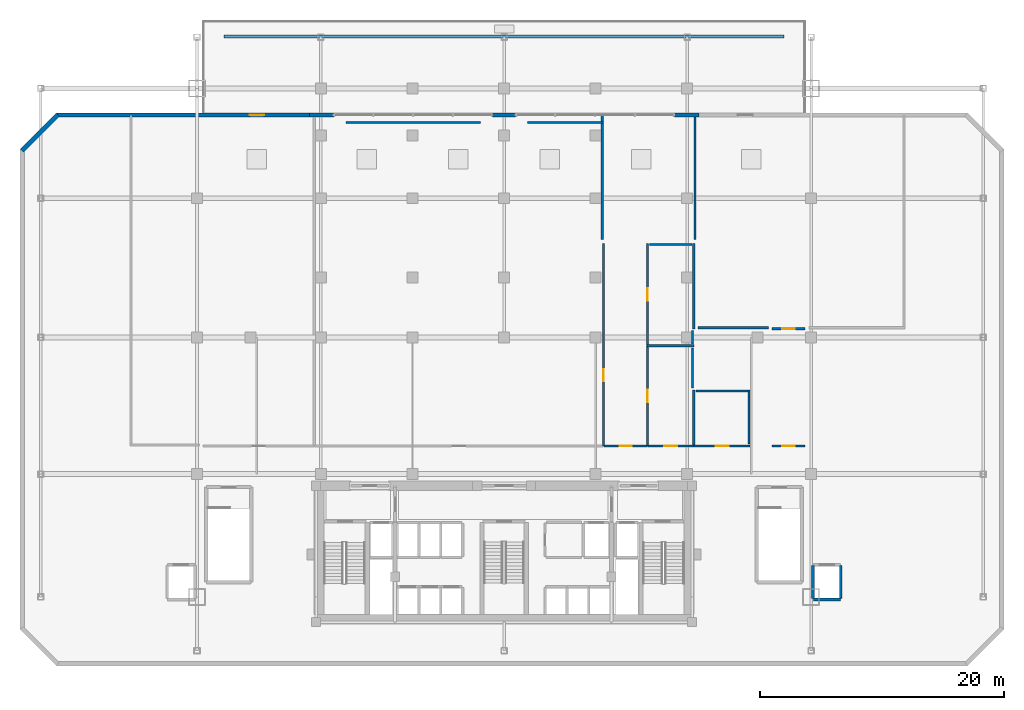
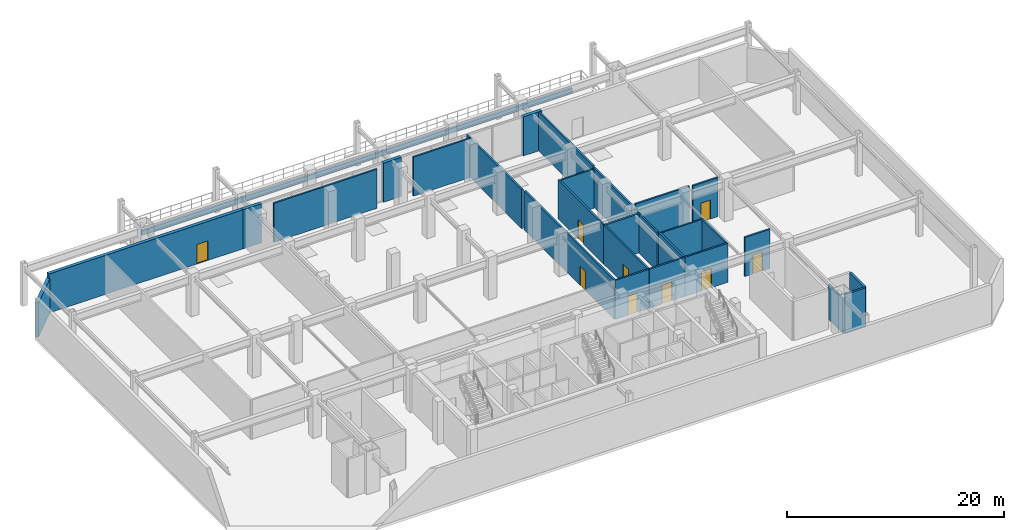
# One storey, part 12 of 15: 30 walls, 9 doors, 9 openings.
"""IFC4 building model written with IfcOpenShell, lengths in metres."""

import ifcopenshell
import ifcopenshell.guid

model = None  # the IFC model being written
_history = None  # IfcOwnerHistory: only IFC2X3 demands one
_inside = {}  # id of a spatial element -> (the spatial element, [elements in it])
_under = {}  # id of a project, library or spatial element -> (it, [spatial elements below it])
_declared = {}  # id of a project -> (the project, [libraries it declares])
_typed = {}  # id of a type object -> (the type object, [elements of that type])
_made_of = {}  # id of a material, layer set ... -> (it, [elements and type objects made of it])


def new_model(schema):
    """Start an empty IFC model of exactly this schema.

    Asked for "IFC4X3", IfcOpenShell would pick the latest addendum, in which some entities
    have other attributes; the version numbers below select the first issue.
    IFC2X3 requires an IfcOwnerHistory on every rooted entity: one is made here for all.
    """
    global model, _history
    if schema == "IFC4X3":
        model = ifcopenshell.file(schema_version=(4, 3, 0, 0))
    else:
        model = ifcopenshell.file(schema=schema)
    _inside.clear()
    _under.clear()
    _declared.clear()
    _typed.clear()
    _made_of.clear()
    _history = None
    if model.schema == "IFC2X3":
        org = make("IfcOrganization", Name="unknown")
        user = make(
            "IfcPersonAndOrganization",
            ThePerson=make("IfcPerson", FamilyName="unknown"),
            TheOrganization=org,
        )
        app = make(
            "IfcApplication",
            ApplicationDeveloper=org,
            Version="unknown",
            ApplicationFullName="unknown",
            ApplicationIdentifier="unknown",
        )
        _history = make(
            "IfcOwnerHistory",
            OwningUser=user,
            OwningApplication=app,
            ChangeAction="ADDED",
            CreationDate=0,
        )
    return model


def make(cls, **values):
    """One entity of the class cls with the attributes given. An attribute that is None is left unset."""
    return model.create_entity(
        cls, **{name: value for name, value in values.items() if value is not None}
    )


def rooted(cls, **values):
    """An entity with a GlobalId (a new one), such as an element, a storey or a relation."""
    return make(cls, GlobalId=ifcopenshell.guid.new(), OwnerHistory=_history, **values)


def si_unit(unit_type, name, prefix=None):
    """IfcSIUnit, for example si_unit("LENGTHUNIT", "METRE", prefix="MILLI")."""
    return make("IfcSIUnit", UnitType=unit_type, Prefix=prefix, Name=name)


def assignment(units):
    """IfcUnitAssignment: the units of a project."""
    return None if units is None else make("IfcUnitAssignment", Units=units)


def point(xyz):
    """IfcCartesianPoint."""
    return None if xyz is None else make("IfcCartesianPoint", Coordinates=xyz)


def direction(xyz):
    """IfcDirection."""
    return None if xyz is None else make("IfcDirection", DirectionRatios=xyz)


def frame(location, z_axis=None, x_axis=None):
    """IfcAxis2Placement3D, a coordinate frame: its origin and axes. An axis left out is left unset."""
    return make(
        "IfcAxis2Placement3D",
        Location=point(location),
        Axis=direction(z_axis),
        RefDirection=direction(x_axis),
    )


def frame_2d(location, x_axis=None):
    """IfcAxis2Placement2D, a coordinate frame in the plane: its origin and x axis."""
    return make(
        "IfcAxis2Placement2D", Location=point(location), RefDirection=direction(x_axis)
    )


def origin():
    """The frame at (0, 0, 0) with its axes left unset."""
    return frame((0.0, 0.0, 0.0))


def place(relative_to, where):
    """IfcLocalPlacement: puts the frame where relative to a parent placement (None: the world)."""
    return make(
        "IfcLocalPlacement", PlacementRelTo=relative_to, RelativePlacement=where
    )


def context(
    kind, dimensions, precision=None, world=None, true_north=None, identifier=None
):
    """IfcGeometricRepresentationContext, for example the 3D "Model" context."""
    return make(
        "IfcGeometricRepresentationContext",
        ContextIdentifier=identifier,
        ContextType=kind,
        CoordinateSpaceDimension=dimensions,
        Precision=precision,
        WorldCoordinateSystem=world,
        TrueNorth=true_north,
    )


def subcontext(parent, identifier, kind, view, scale=None):
    """IfcGeometricRepresentationSubContext, for example "Body" below "Model"."""
    return make(
        "IfcGeometricRepresentationSubContext",
        ContextIdentifier=identifier,
        ContextType=kind,
        ParentContext=parent,
        TargetScale=scale,
        TargetView=view,
    )


def project(units=None, contexts=None):
    """IfcProject with its units and contexts."""
    return rooted(
        "IfcProject",
        Name="project",
        RepresentationContexts=contexts,
        UnitsInContext=assignment(units),
    )


def spatial(cls, under=None, at=None, **own):
    """A site, building, storey or space (cls), placed at a placement, below another one or the project."""
    s = rooted(cls, ObjectPlacement=at, **own)
    if under is not None:
        _under.setdefault(under.id(), (under, []))[1].append(s)
    return s


def profile(cls, at=None, kind="AREA", **sizes):
    """A parametric profile (cls). Its sizes go by their IFC names, for example OverallWidth=200.0."""
    return make(cls, ProfileType=kind, Position=at, **sizes)


def rectangle(**sizes):
    """IfcRectangleProfileDef."""
    return profile("IfcRectangleProfileDef", **sizes)


def extrude(swept, where, along, depth):
    """IfcExtrudedAreaSolid: the profile swept, set in the frame where, extruded along a direction by depth."""
    return make(
        "IfcExtrudedAreaSolid",
        SweptArea=swept,
        Position=where,
        ExtrudedDirection=direction(along),
        Depth=depth,
    )


def shape(context_of_items, identifier, shape_type, items):
    """IfcShapeRepresentation: the items that make up one representation, for example the "Body"."""
    return make(
        "IfcShapeRepresentation",
        ContextOfItems=context_of_items,
        RepresentationIdentifier=identifier,
        RepresentationType=shape_type,
        Items=items,
    )


def material(Name=None, Category=None):
    """IfcMaterial."""
    return make("IfcMaterial", Name=Name, Category=Category)


def layer(
    of_material, thickness, ventilated=None, Name=None, Category=None, Priority=None
):
    """IfcMaterialLayer: one layer of a wall or slab, of a material (None: an air gap)."""
    return make(
        "IfcMaterialLayer",
        Material=of_material,
        LayerThickness=thickness,
        IsVentilated=ventilated,
        Name=Name,
        Category=Category,
        Priority=Priority,
    )


def layer_set(layers, Name=None):
    """IfcMaterialLayerSet."""
    return make("IfcMaterialLayerSet", MaterialLayers=layers, LayerSetName=Name)


def made_of(thing, what):
    """Note that an element or type object is made of a material, layer set ...; save() writes the relation."""
    if what is not None:
        _made_of.setdefault(what.id(), (what, []))[1].append(thing)
    return thing


def type_object(cls, material=None, **own):
    """A type object (cls), such as IfcWallType, which elements share."""
    return made_of(rooted(cls, **own), material)


def element(
    cls,
    number,
    at=None,
    inside=None,
    cuts=None,
    type_object=None,
    material=None,
    context=None,
    identifier="Body",
    shape_type=None,
    held_by="IfcProductDefinitionShape",
    body=None,
    shapes=None,
    **own,
):
    """One element of the class cls, such as IfcWall. Its Tag is "e" and its number.

    at: its placement. inside: the storey or other place that contains it. cuts: it is an
    opening in that element (IfcRelVoidsElement). A single representation is given by context,
    identifier, shape_type and body (its items); several are given by shapes. held_by: the class
    of the entity that holds the representations. save() writes the other relations.
    """
    e = rooted(cls, Tag="e%d" % number, ObjectPlacement=at, **own)
    if body is not None:
        shapes = [shape(context, identifier, shape_type, body)]
    if shapes is not None:
        e.Representation = make(held_by, Representations=shapes)
    if inside is not None:
        _inside.setdefault(inside.id(), (inside, []))[1].append(e)
    if cuts is not None:
        rooted(
            "IfcRelVoidsElement", RelatingBuildingElement=cuts, RelatedOpeningElement=e
        )
    if type_object is not None:
        _typed.setdefault(type_object.id(), (type_object, []))[1].append(e)
    return made_of(e, material)


def fill(opening, filler):
    """IfcRelFillsElement: the door or window that sits in an opening."""
    return rooted(
        "IfcRelFillsElement",
        RelatingOpeningElement=opening,
        RelatedBuildingElement=filler,
    )


def aggregate(whole, parts):
    """IfcRelAggregates: a whole, such as a stair, and the parts it consists of."""
    return rooted("IfcRelAggregates", RelatingObject=whole, RelatedObjects=parts)


def save(model, path):
    """Write the relations noted so far, then the file.

    IfcRelAggregates (storeys below a building ...), IfcRelContainedInSpatialStructure (elements
    in a storey), IfcRelDefinesByType, IfcRelAssociatesMaterial and IfcRelDeclares: one each for
    every whole, place, type object, material and project.
    """
    for whole, parts in _under.values():
        aggregate(whole, parts)
    for where, things in _inside.values():
        rooted(
            "IfcRelContainedInSpatialStructure",
            RelatedElements=things,
            RelatingStructure=where,
        )
    for kind, things in _typed.values():
        rooted("IfcRelDefinesByType", RelatedObjects=things, RelatingType=kind)
    for what, things in _made_of.values():
        rooted("IfcRelAssociatesMaterial", RelatedObjects=things, RelatingMaterial=what)
    for by, libraries in _declared.values():
        rooted("IfcRelDeclares", RelatingContext=by, RelatedDefinitions=libraries)
    model.write(path)


model = new_model("IFC4")

# Units and contexts
model_context = context("Model", 3, precision=1e-05, world=origin(), true_north=direction((0.0, 1.0)))
body_context = subcontext(model_context, "Body", "Model", "MODEL_VIEW")
ifc_project = project(units=[si_unit("LENGTHUNIT", "METRE"), si_unit("AREAUNIT", "SQUARE_METRE"), si_unit("VOLUMEUNIT", "CUBIC_METRE"), si_unit("PLANEANGLEUNIT", "RADIAN"), si_unit("MASSUNIT", "GRAM", prefix="KILO")], contexts=[model_context])

# Site, building, storey
site_placement = place(None, origin())
site = spatial("IfcSite", under=ifc_project, at=site_placement, CompositionType="ELEMENT")
building_placement = place(site_placement, origin())
building = spatial("IfcBuilding", under=site, at=building_placement, Name="Ventersveld Concourse Tower", CompositionType="ELEMENT")
storey_placement = place(building_placement, frame((0.0, 0.0, 19.800048828125)))
storey = spatial("IfcBuildingStorey", under=building, at=storey_placement, Name="L04", CompositionType="ELEMENT", Elevation=19.800048828125)

# Wall, opening, door
ifc_material_1 = material(Name="Fire-rated autoclaved aerated masonry blockwork", Category="masonry")
ifc_layer_1 = layer(ifc_material_1, 0.179931640625)
ifc_layer_set_1 = layer_set([ifc_layer_1], Name="Fire-rated autoclaved aerated masonry blockwork")
wall_type_1 = type_object("IfcWallType", Name="WL-CORR-180", PredefinedType="PARTITIONING", material=ifc_layer_set_1)
wall_1_placement = place(storey_placement, frame((36.925048828125, 14.699951171875, 0.0), z_axis=(0.0, 0.0, 1.0), x_axis=(1.0, 0.0, 0.0)))
wall_1 = element("IfcWall", 1, at=wall_1_placement, inside=storey, type_object=wall_type_1, Name="L04 Interior Partition SP-L04-COR-SP-L04-WCLOB", PredefinedType="PARTITIONING", context=body_context, shape_type="SweptSolid", body=[
    extrude(rectangle(XDim=3.570068359375, YDim=0.179931640625, at=frame_2d((1.78515625, 0.0))), origin(), (0.0, 0.0, 1.0), 4.39990234375),
])
opening_1_placement = place(wall_1_placement, frame((1.284912109375, 0.0, 0.0)))
opening_1 = element("IfcOpeningElement", 2, at=opening_1_placement, cuts=wall_1, Name="Opening FD3", PredefinedType="OPENING", context=body_context, shape_type="SweptSolid", body=[
    extrude(rectangle(XDim=1.0, YDim=2.14990234375, at=frame_2d((0.5, 1.074951171875))), frame((0.0, 0.10009765625, 0.0), z_axis=(0.0, -1.0, 0.0), x_axis=(1.0, 0.0, 0.0)), (0.0, 0.0, 1.0), 0.199951171875),
])
ifc_material_2 = material(Name="Solid-core hardwood veneer timber", Category="wood")
door_type_1 = type_object("IfcDoorType", Name="DR-FLAT-100", OperationType="NOTDEFINED", PredefinedType="DOOR", material=ifc_material_2)
door_1_placement = place(opening_1_placement, origin())
door_1 = element("IfcDoor", 3, at=door_1_placement, inside=storey, type_object=door_type_1, Name="L04 Interior Door SP-L04-COR to SP-L04-WCLOB (D-L04-0147)", OperationType="SINGLE_SWING_LEFT", OverallHeight=2.14990234375, OverallWidth=1.0, PredefinedType="DOOR", context=body_context, shape_type="SweptSolid", body=[
    extrude(rectangle(XDim=1.0, YDim=2.14990234375, at=frame_2d((0.5, 1.074951171875))), frame((0.0, 0.02490234375, 0.0), z_axis=(0.0, -1.0, 0.0), x_axis=(1.0, 0.0, 0.0)), (0.0, 0.0, 1.0), 0.050048828125),
])
fill(opening_1, door_1)

wall_2_placement = place(storey_placement, frame((40.52490234375, 14.699951171875, 0.0), z_axis=(0.0, 0.0, 1.0), x_axis=(1.0, 0.0, 0.0)))
wall_2 = element("IfcWall", 4, at=wall_2_placement, inside=storey, type_object=wall_type_1, Name="L04 Interior Partition SP-L04-COR-SP-L04-MWC", PredefinedType="PARTITIONING", context=body_context, shape_type="SweptSolid", body=[
    extrude(rectangle(XDim=3.77001953125, YDim=0.179931640625, at=frame_2d((1.885009765625, 0.0))), origin(), (0.0, 0.0, 1.0), 4.39990234375),
])
opening_2_placement = place(wall_2_placement, frame((1.360107421875, 0.0, 0.0)))
opening_2 = element("IfcOpeningElement", 5, at=opening_2_placement, cuts=wall_2, Name="Opening ID3", PredefinedType="OPENING", context=body_context, shape_type="SweptSolid", body=[
    extrude(rectangle(XDim=1.050048828125, YDim=2.14990234375, at=frame_2d((0.52490234375, 1.074951171875))), frame((0.0, 0.10009765625, 0.0), z_axis=(0.0, -1.0, 0.0), x_axis=(1.0, 0.0, 0.0)), (0.0, 0.0, 1.0), 0.199951171875),
])
door_type_2 = type_object("IfcDoorType", Name="DR-AWC-105", OperationType="NOTDEFINED", PredefinedType="DOOR", material=ifc_material_2)
door_2_placement = place(opening_2_placement, origin())
door_2 = element("IfcDoor", 6, at=door_2_placement, inside=storey, type_object=door_type_2, Name="L04 Interior Door SP-L04-COR to SP-L04-MWC (WD-L04-0148)", OperationType="SINGLE_SWING_RIGHT", OverallHeight=2.14990234375, OverallWidth=1.050048828125, PredefinedType="DOOR", context=body_context, shape_type="SweptSolid", body=[
    extrude(rectangle(XDim=1.050048828125, YDim=2.14990234375, at=frame_2d((0.52490234375, 1.074951171875))), frame((0.0, 0.02490234375, 0.0), z_axis=(0.0, -1.0, 0.0), x_axis=(1.0, 0.0, 0.0)), (0.0, 0.0, 1.0), 0.050048828125),
])
fill(opening_2, door_2)

wall_3_placement = place(storey_placement, frame((44.324951171875, 14.699951171875, 0.0), z_axis=(0.0, 0.0, 1.0), x_axis=(1.0, 0.0, 0.0)))
wall_3 = element("IfcWall", 7, at=wall_3_placement, inside=storey, type_object=wall_type_1, Name="L04 Interior Partition SP-L04-COR-SP-L04-AWC", PredefinedType="PARTITIONING", context=body_context, shape_type="SweptSolid", body=[
    extrude(rectangle(XDim=4.570068359375, YDim=0.179931640625, at=frame_2d((2.28515625, 0.0))), origin(), (0.0, 0.0, 1.0), 4.39990234375),
])
opening_3_placement = place(wall_3_placement, frame((1.760009765625, 0.0, 0.0)))
opening_3 = element("IfcOpeningElement", 8, at=opening_3_placement, cuts=wall_3, Name="Opening ID3", PredefinedType="OPENING", context=body_context, shape_type="SweptSolid", body=[
    extrude(rectangle(XDim=1.050048828125, YDim=2.14990234375, at=frame_2d((0.52490234375, 1.074951171875))), frame((0.0, 0.10009765625, 0.0), z_axis=(0.0, -1.0, 0.0), x_axis=(1.0, 0.0, 0.0)), (0.0, 0.0, 1.0), 0.199951171875),
])
door_3_placement = place(opening_3_placement, origin())
door_3 = element("IfcDoor", 9, at=door_3_placement, inside=storey, type_object=door_type_2, Name="L04 Interior Door SP-L04-COR to SP-L04-AWC (WD-L04-0149)", OperationType="SINGLE_SWING_LEFT", OverallHeight=2.14990234375, OverallWidth=1.050048828125, PredefinedType="DOOR", context=body_context, shape_type="SweptSolid", body=[
    extrude(rectangle(XDim=1.050048828125, YDim=2.14990234375, at=frame_2d((0.52490234375, 1.074951171875))), frame((0.0, 0.02490234375, 0.0), z_axis=(0.0, -1.0, 0.0), x_axis=(1.0, 0.0, 0.0)), (0.0, 0.0, 1.0), 0.050048828125),
])
fill(opening_3, door_3)

wall_4_placement = place(storey_placement, frame((50.705078125, 14.699951171875, 0.0), z_axis=(0.0, 0.0, 1.0), x_axis=(1.0, 0.0, 0.0)))
wall_4 = element("IfcWall", 10, at=wall_4_placement, inside=storey, type_object=wall_type_1, Name="L04 Interior Partition SP-L04-COR-SP-L04-ECOR", PredefinedType="PARTITIONING", context=body_context, shape_type="SweptSolid", body=[
    extrude(rectangle(XDim=2.68994140625, YDim=0.179931640625, at=frame_2d((1.344970703125, 0.0))), origin(), (0.0, 0.0, 1.0), 4.39990234375),
])
opening_4_placement = place(wall_4_placement, frame((0.844970703125, 0.0, 0.0)))
opening_4 = element("IfcOpeningElement", 11, at=opening_4_placement, cuts=wall_4, Name="Opening FD3", PredefinedType="OPENING", context=body_context, shape_type="SweptSolid", body=[
    extrude(rectangle(XDim=1.0, YDim=2.14990234375, at=frame_2d((0.5, 1.074951171875))), frame((0.0, 0.10009765625, 0.0), z_axis=(0.0, -1.0, 0.0), x_axis=(1.0, 0.0, 0.0)), (0.0, 0.0, 1.0), 0.199951171875),
])
door_4_placement = place(opening_4_placement, origin())
door_4 = element("IfcDoor", 12, at=door_4_placement, inside=storey, type_object=door_type_1, Name="L04 Interior Door SP-L04-COR to SP-L04-ECOR (D-L04-0150)", OperationType="SINGLE_SWING_RIGHT", OverallHeight=2.14990234375, OverallWidth=1.0, PredefinedType="DOOR", context=body_context, shape_type="SweptSolid", body=[
    extrude(rectangle(XDim=1.0, YDim=2.14990234375, at=frame_2d((0.5, 1.074951171875))), frame((0.0, 0.02490234375, 0.0), z_axis=(0.0, -1.0, 0.0), x_axis=(1.0, 0.0, 0.0)), (0.0, 0.0, 1.0), 0.050048828125),
])
fill(opening_4, door_4)

wall_5_placement = place(storey_placement, frame((36.89990234375, 14.705078125, 0.0), z_axis=(0.0, 0.0, 1.0), x_axis=(0.0, 1.0, 0.0)))
wall_5 = element("IfcWall", 13, at=wall_5_placement, inside=storey, type_object=wall_type_1, Name="L04 Interior Partition SP-L04-LOUNGE-SP-L04-WCLOB", PredefinedType="PARTITIONING", context=body_context, shape_type="SweptSolid", body=[
    extrude(rectangle(XDim=16.58984375, YDim=0.179931640625, at=frame_2d((8.294921875, 0.0))), origin(), (0.0, 0.0, 1.0), 4.39990234375),
])
opening_5_placement = place(wall_5_placement, frame((5.306396484375, 0.0, 0.0)))
opening_5 = element("IfcOpeningElement", 14, at=opening_5_placement, cuts=wall_5, Name="Opening FD3", PredefinedType="OPENING", context=body_context, shape_type="SweptSolid", body=[
    extrude(rectangle(XDim=1.0, YDim=2.14990234375, at=frame_2d((0.5, 1.074951171875))), frame((0.0, 0.10009765625, 0.0), z_axis=(0.0, -1.0, 0.0), x_axis=(1.0, 0.0, 0.0)), (0.0, 0.0, 1.0), 0.199951171875),
])
door_5_placement = place(opening_5_placement, origin())
door_5 = element("IfcDoor", 15, at=door_5_placement, inside=storey, type_object=door_type_1, Name="L04 Interior Door SP-L04-LOUNGE to SP-L04-WCLOB (D-L04-0151)", OperationType="SINGLE_SWING_LEFT", OverallHeight=2.14990234375, OverallWidth=1.0, PredefinedType="DOOR", context=body_context, shape_type="SweptSolid", body=[
    extrude(rectangle(XDim=1.0, YDim=2.14990234375, at=frame_2d((0.5, 1.074951171875))), frame((0.0, 0.02490234375, 0.0), z_axis=(0.0, -1.0, 0.0), x_axis=(1.0, 0.0, 0.0)), (0.0, 0.0, 1.0), 0.050048828125),
])
fill(opening_5, door_5)

wall_6_placement = place(storey_placement, frame((50.705078125, 24.31005859375, 0.0), z_axis=(0.0, 0.0, 1.0), x_axis=(1.0, 0.0, 0.0)))
wall_6 = element("IfcWall", 16, at=wall_6_placement, inside=storey, type_object=wall_type_1, Name="L04 Interior Partition SP-L04-CRECHE-SP-L04-ECOR", PredefinedType="PARTITIONING", context=body_context, shape_type="SweptSolid", body=[
    extrude(rectangle(XDim=2.68994140625, YDim=0.179931640625, at=frame_2d((1.344970703125, 0.0))), origin(), (0.0, 0.0, 1.0), 4.39990234375),
])
opening_6_placement = place(wall_6_placement, frame((0.844970703125, 0.0, 0.0)))
opening_6 = element("IfcOpeningElement", 17, at=opening_6_placement, cuts=wall_6, Name="Opening FD3", PredefinedType="OPENING", context=body_context, shape_type="SweptSolid", body=[
    extrude(rectangle(XDim=1.0, YDim=2.14990234375, at=frame_2d((0.5, 1.074951171875))), frame((0.0, 0.10009765625, 0.0), z_axis=(0.0, -1.0, 0.0), x_axis=(1.0, 0.0, 0.0)), (0.0, 0.0, 1.0), 0.199951171875),
])
door_6_placement = place(opening_6_placement, origin())
door_6 = element("IfcDoor", 18, at=door_6_placement, inside=storey, type_object=door_type_1, Name="L04 Interior Door SP-L04-CRECHE to SP-L04-ECOR (D-L04-0152)", OperationType="SINGLE_SWING_RIGHT", OverallHeight=2.14990234375, OverallWidth=1.0, PredefinedType="DOOR", context=body_context, shape_type="SweptSolid", body=[
    extrude(rectangle(XDim=1.0, YDim=2.14990234375, at=frame_2d((0.5, 1.074951171875))), frame((0.0, 0.02490234375, 0.0), z_axis=(0.0, -1.0, 0.0), x_axis=(1.0, 0.0, 0.0)), (0.0, 0.0, 1.0), 0.050048828125),
])
fill(opening_6, door_6)

wall_7_placement = place(storey_placement, frame((40.5, 14.705078125, 0.0), z_axis=(0.0, 0.0, 1.0), x_axis=(0.0, 1.0, 0.0)))
wall_7 = element("IfcWall", 19, at=wall_7_placement, inside=storey, type_object=wall_type_1, Name="L04 Interior Partition SP-L04-WCLOB-SP-L04-MWC", PredefinedType="PARTITIONING", context=body_context, shape_type="SweptSolid", body=[
    extrude(rectangle(XDim=8.18994140625, YDim=0.179931640625, at=frame_2d((4.094970703125, 0.0))), origin(), (0.0, 0.0, 1.0), 4.39990234375),
])
opening_7_placement = place(wall_7_placement, frame((3.570068359375, 0.0, 0.0)))
opening_7 = element("IfcOpeningElement", 20, at=opening_7_placement, cuts=wall_7, Name="Opening ID3", PredefinedType="OPENING", context=body_context, shape_type="SweptSolid", body=[
    extrude(rectangle(XDim=1.050048828125, YDim=2.14990234375, at=frame_2d((0.52490234375, 1.074951171875))), frame((0.0, 0.10009765625, 0.0), z_axis=(0.0, -1.0, 0.0), x_axis=(1.0, 0.0, 0.0)), (0.0, 0.0, 1.0), 0.199951171875),
])
door_7_placement = place(opening_7_placement, origin())
door_7 = element("IfcDoor", 21, at=door_7_placement, inside=storey, type_object=door_type_2, Name="L04 Interior Door SP-L04-WCLOB to SP-L04-MWC (WD-L04-0153)", OperationType="SINGLE_SWING_LEFT", OverallHeight=2.14990234375, OverallWidth=1.050048828125, PredefinedType="DOOR", context=body_context, shape_type="SweptSolid", body=[
    extrude(rectangle(XDim=1.050048828125, YDim=2.14990234375, at=frame_2d((0.52490234375, 1.074951171875))), frame((0.0, 0.02490234375, 0.0), z_axis=(0.0, -1.0, 0.0), x_axis=(1.0, 0.0, 0.0)), (0.0, 0.0, 1.0), 0.050048828125),
])
fill(opening_7, door_7)

wall_8_placement = place(storey_placement, frame((40.5, 22.925048828125, 0.0), z_axis=(0.0, 0.0, 1.0), x_axis=(0.0, 1.0, 0.0)))
wall_8 = element("IfcWall", 22, at=wall_8_placement, inside=storey, type_object=wall_type_1, Name="L04 Interior Partition SP-L04-WCLOB-SP-L04-FWC", PredefinedType="PARTITIONING", context=body_context, shape_type="SweptSolid", body=[
    extrude(rectangle(XDim=8.369873046875, YDim=0.179931640625, at=frame_2d((4.18505859375, 0.0))), origin(), (0.0, 0.0, 1.0), 4.39990234375),
])
opening_8_placement = place(wall_8_placement, frame((3.659912109375, 0.0, 0.0)))
opening_8 = element("IfcOpeningElement", 23, at=opening_8_placement, cuts=wall_8, Name="Opening ID3", PredefinedType="OPENING", context=body_context, shape_type="SweptSolid", body=[
    extrude(rectangle(XDim=1.050048828125, YDim=2.14990234375, at=frame_2d((0.52490234375, 1.074951171875))), frame((0.0, 0.10009765625, 0.0), z_axis=(0.0, -1.0, 0.0), x_axis=(1.0, 0.0, 0.0)), (0.0, 0.0, 1.0), 0.199951171875),
])
door_8_placement = place(opening_8_placement, origin())
door_8 = element("IfcDoor", 24, at=door_8_placement, inside=storey, type_object=door_type_2, Name="L04 Interior Door SP-L04-WCLOB to SP-L04-FWC (WD-L04-0154)", OperationType="SINGLE_SWING_RIGHT", OverallHeight=2.14990234375, OverallWidth=1.050048828125, PredefinedType="DOOR", context=body_context, shape_type="SweptSolid", body=[
    extrude(rectangle(XDim=1.050048828125, YDim=2.14990234375, at=frame_2d((0.52490234375, 1.074951171875))), frame((0.0, 0.02490234375, 0.0), z_axis=(0.0, -1.0, 0.0), x_axis=(1.0, 0.0, 0.0)), (0.0, 0.0, 1.0), 0.050048828125),
])
fill(opening_8, door_8)

# Walls
wall_9_placement = place(storey_placement, frame((36.800048828125, 31.607421875, 0.0), z_axis=(0.0, 0.0, 1.0), x_axis=(0.0, 1.0, 0.0)))
element("IfcWall", 25, at=wall_9_placement, inside=storey, type_object=wall_type_1, Name="L04 Room Enclosure Wall SP-L04-LOUNGE", PredefinedType="PARTITIONING", context=body_context, shape_type="SweptSolid", body=[
    extrude(rectangle(XDim=10.194580078125, YDim=0.179931640625, at=frame_2d((5.09716796875, 0.0))), origin(), (0.0, 0.0, 1.0), 4.39990234375),
])
wall_10_placement = place(storey_placement, frame((36.89501953125, 41.199951171875, 0.0), z_axis=(0.0, 0.0, 1.0), x_axis=(-1.0, 0.0, 0.0)))
element("IfcWall", 26, at=wall_10_placement, inside=storey, type_object=wall_type_1, Name="L04 Room Enclosure Wall SP-L04-LOUNGE", PredefinedType="PARTITIONING", context=body_context, shape_type="SweptSolid", body=[
    extrude(rectangle(XDim=6.2060546875, YDim=0.179931640625, at=frame_2d((3.10302734375, 0.0))), origin(), (0.0, 0.0, 1.0), 4.39990234375),
])
wall_11_placement = place(storey_placement, frame((26.81103515625, 41.199951171875, 0.0), z_axis=(0.0, 0.0, 1.0), x_axis=(-1.0, 0.0, 0.0)))
element("IfcWall", 27, at=wall_11_placement, inside=storey, type_object=wall_type_1, Name="L04 Room Enclosure Wall SP-L04-LOUNGE", PredefinedType="PARTITIONING", context=body_context, shape_type="SweptSolid", body=[
    extrude(rectangle(XDim=11.02197265625, YDim=0.179931640625, at=frame_2d((5.510986328125, 0.0))), origin(), (0.0, 0.0, 1.0), 4.39990234375),
])
wall_12_placement = place(storey_placement, frame((44.625, 24.39990234375, 0.0), z_axis=(0.0, 0.0, 1.0), x_axis=(1.0, 0.0, 0.0)))
element("IfcWall", 28, at=wall_12_placement, inside=storey, type_object=wall_type_1, Name="L04 Room Enclosure Wall SP-L04-CRECHE", PredefinedType="PARTITIONING", context=body_context, shape_type="SweptSolid", body=[
    extrude(rectangle(XDim=5.76513671875, YDim=0.179931640625, at=frame_2d((2.882568359375, 0.0))), origin(), (0.0, 0.0, 1.0), 4.39990234375),
])
wall_13_placement = place(storey_placement, frame((44.39990234375, 41.784912109375, 0.0), z_axis=(0.0, 0.0, 1.0), x_axis=(0.0, -1.0, 0.0)))
element("IfcWall", 29, at=wall_13_placement, inside=storey, type_object=wall_type_1, Name="L04 Room Enclosure Wall SP-L04-CRECHE", PredefinedType="PARTITIONING", context=body_context, shape_type="SweptSolid", body=[
    extrude(rectangle(XDim=10.177490234375, YDim=0.179931640625, at=frame_2d((5.0888671875, 0.0))), origin(), (0.0, 0.0, 1.0), 4.39990234375),
])
ifc_layer_2 = layer(ifc_material_1, 0.199951171875)
ifc_layer_set_2 = layer_set([ifc_layer_2], Name="Fire-rated autoclaved aerated masonry blockwork")
wall_type_2 = type_object("IfcWallType", Name="WL-DEMISE-200", PredefinedType="PARTITIONING", material=ifc_layer_set_2)
wall_14_placement = place(storey_placement, frame((44.300048828125, 24.304931640625, 0.0), z_axis=(0.0, 0.0, 1.0), x_axis=(0.0, 1.0, 0.0)))
element("IfcWall", 30, at=wall_14_placement, inside=storey, type_object=wall_type_2, Name="L04 Interior Partition SP-L04-CRECHE-SP-L04-FWC", PredefinedType="PARTITIONING", context=body_context, shape_type="SweptSolid", body=[
    extrude(rectangle(XDim=6.989990234375, YDim=0.199951171875, at=frame_2d((3.4951171875, 0.0))), origin(), (0.0, 0.0, 1.0), 4.39990234375),
])
wall_15_placement = place(storey_placement, frame((40.5048828125, 22.89990234375, 0.0), z_axis=(0.0, 0.0, 1.0), x_axis=(1.0, 0.0, 0.0)))
element("IfcWall", 31, at=wall_15_placement, inside=storey, type_object=wall_type_2, Name="L04 Interior Partition SP-L04-MWC-SP-L04-FWC", PredefinedType="PARTITIONING", context=body_context, shape_type="SweptSolid", body=[
    extrude(rectangle(XDim=3.7900390625, YDim=0.199951171875, at=frame_2d((1.89501953125, 0.0))), origin(), (0.0, 0.0, 1.0), 4.39990234375),
])
wall_16_placement = place(storey_placement, frame((44.300048828125, 14.705078125, 0.0), z_axis=(0.0, 0.0, 1.0), x_axis=(0.0, 1.0, 0.0)))
element("IfcWall", 32, at=wall_16_placement, inside=storey, type_object=wall_type_2, Name="L04 Interior Partition SP-L04-MWC-SP-L04-AWC", PredefinedType="PARTITIONING", context=body_context, shape_type="SweptSolid", body=[
    extrude(rectangle(XDim=4.58984375, YDim=0.199951171875, at=frame_2d((2.294921875, 0.0))), origin(), (0.0, 0.0, 1.0), 4.39990234375),
])
ifc_layer_3 = layer(ifc_material_1, 0.219970703125)
ifc_layer_set_3 = layer_set([ifc_layer_3], Name="Fire-rated autoclaved aerated masonry blockwork")
wall_type_3 = type_object("IfcWallType", Name="WL-HOIST-220", PredefinedType="SOLIDWALL", material=ifc_layer_set_3)
wall_17_placement = place(storey_placement, frame((54.10009765625, 2.139892578125, 0.0), z_axis=(0.0, 0.0, 1.0), x_axis=(1.0, 0.0, 0.0)))
element("IfcWall", 33, at=wall_17_placement, inside=storey, type_object=wall_type_3, Name="L04 Lift Hoistway Back Wall SL-02", PredefinedType="SOLIDWALL", context=body_context, shape_type="SweptSolid", body=[
    extrude(rectangle(XDim=2.199951171875, YDim=0.219970703125, at=frame_2d((1.10009765625, 0.0))), origin(), (0.0, 0.0, 1.0), 4.39990234375),
])
wall_18_placement = place(storey_placement, frame((54.06005859375, 2.199951171875, 0.0), z_axis=(0.0, 0.0, 1.0), x_axis=(0.0, 1.0, 0.0)))
element("IfcWall", 34, at=wall_18_placement, inside=storey, type_object=wall_type_3, Name="L04 Lift Hoistway Side Wall SL-02W", PredefinedType="SOLIDWALL", context=body_context, shape_type="SweptSolid", body=[
    extrude(rectangle(XDim=2.699951171875, YDim=0.219970703125, at=frame_2d((1.35009765625, 0.0))), origin(), (0.0, 0.0, 1.0), 3.866943359375),
])
wall_19_placement = place(storey_placement, frame((56.340087890625, 2.199951171875, 0.0), z_axis=(0.0, 0.0, 1.0), x_axis=(0.0, 1.0, 0.0)))
element("IfcWall", 35, at=wall_19_placement, inside=storey, type_object=wall_type_3, Name="L04 Lift Hoistway Side Wall SL-02E", PredefinedType="SOLIDWALL", context=body_context, shape_type="SweptSolid", body=[
    extrude(rectangle(XDim=2.699951171875, YDim=0.219970703125, at=frame_2d((1.35009765625, 0.0))), origin(), (0.0, 0.0, 1.0), 4.39990234375),
])
ifc_material_3 = material(Name="Precast concrete C45/55", Category="concrete")
ifc_layer_4 = layer(ifc_material_3, 0.239990234375)
ifc_layer_set_4 = layer_set([ifc_layer_4], Name="Precast concrete C45/55")
wall_type_4 = type_object("IfcWallType", Name="WL-KERB-240", PredefinedType="PARAPET", material=ifc_layer_set_4)
wall_20_placement = place(storey_placement, frame((5.800048828125, 48.25, 0.0), z_axis=(0.0, 0.0, 1.0), x_axis=(1.0, 0.0, 0.0)))
element("IfcWall", 36, at=wall_20_placement, inside=storey, type_object=wall_type_4, Name="L04 Landscaped Terrace Planter Kerb POD-TERR-N", PredefinedType="PARAPET", context=body_context, shape_type="SweptSolid", body=[
    extrude(rectangle(XDim=45.89990234375, YDim=0.239990234375, at=frame_2d((22.949951171875, 0.0))), origin(), (0.0, 0.0, 1.0), 0.550048828125),
])
ifc_layer_5 = layer(ifc_material_3, 0.35009765625)
ifc_layer_set_5 = layer_set([ifc_layer_5], Name="Precast concrete C45/55")
wall_type_5 = type_object("IfcWallType", Name="WL-PREC-350", PredefinedType="SOLIDWALL", material=ifc_layer_set_5)
wall_21_placement = place(storey_placement, frame((12.800048828125, 41.820068359375, 0.0), z_axis=(0.0, 0.0, 1.0), x_axis=(1.0, 0.0, 0.0)))
element("IfcWall", 37, at=wall_21_placement, inside=storey, type_object=wall_type_5, Name="L04 North Pier 1", PredefinedType="SOLIDWALL", context=body_context, shape_type="SweptSolid", body=[
    extrude(rectangle(XDim=2.0, YDim=0.35009765625, at=frame_2d((1.0, 0.0))), origin(), (0.0, 0.0, 1.0), 4.39990234375),
])
wall_22_placement = place(storey_placement, frame((27.800048828125, 41.820068359375, 0.0), z_axis=(0.0, 0.0, 1.0), x_axis=(1.0, 0.0, 0.0)))
element("IfcWall", 38, at=wall_22_placement, inside=storey, type_object=wall_type_5, Name="L04 North Pier 2", PredefinedType="SOLIDWALL", context=body_context, shape_type="SweptSolid", body=[
    extrude(rectangle(XDim=1.89990234375, YDim=0.35009765625, at=frame_2d((0.949951171875, 0.0))), origin(), (0.0, 0.0, 1.0), 4.39990234375),
])
wall_23_placement = place(storey_placement, frame((42.699951171875, 41.820068359375, 0.0), z_axis=(0.0, 0.0, 1.0), x_axis=(1.0, 0.0, 0.0)))
element("IfcWall", 39, at=wall_23_placement, inside=storey, type_object=wall_type_5, Name="L04 North Pier 3", PredefinedType="SOLIDWALL", context=body_context, shape_type="SweptSolid", body=[
    extrude(rectangle(XDim=2.0, YDim=0.35009765625, at=frame_2d((1.0, 0.0))), origin(), (0.0, 0.0, 1.0), 4.39990234375),
])

# Wall, opening, door
wall_24_placement = place(storey_placement, frame((-7.860107421875, 41.820068359375, 0.0), z_axis=(0.0, 0.0, 1.0), x_axis=(1.0, 0.0, 0.0)))
wall_24 = element("IfcWall", 40, at=wall_24_placement, inside=storey, type_object=wall_type_5, Name="L04 Amenity North-West Wall", PredefinedType="SOLIDWALL", context=body_context, shape_type="SweptSolid", body=[
    extrude(rectangle(XDim=20.66015625, YDim=0.35009765625, at=frame_2d((10.330078125, 0.0))), origin(), (0.0, 0.0, 1.0), 4.39990234375),
])
opening_9_placement = place(wall_24_placement, frame((15.760009765625, 0.0, 0.0)))
opening_9 = element("IfcOpeningElement", 41, at=opening_9_placement, cuts=wall_24, Name="Opening TD1", PredefinedType="OPENING", context=body_context, shape_type="SweptSolid", body=[
    extrude(rectangle(XDim=1.199951171875, YDim=2.199951171875, at=frame_2d((0.60009765625, 1.10009765625))), frame((0.0, 0.18505859375, 0.0), z_axis=(0.0, -1.0, 0.0), x_axis=(1.0, 0.0, 0.0)), (0.0, 0.0, 1.0), 0.3701171875),
])
ifc_material_4 = material(Name="Anodised aluminium EN AW-6063-T6", Category="aluminium")
door_type_3 = type_object("IfcDoorType", Name="DR-TERR-120", OperationType="NOTDEFINED", PredefinedType="DOOR", material=ifc_material_4)
door_9_placement = place(opening_9_placement, origin())
door_9 = element("IfcDoor", 42, at=door_9_placement, inside=storey, type_object=door_type_3, Name="L04 Podium Roof Terrace Door TD-L04-01", OperationType="SINGLE_SWING_LEFT", OverallHeight=2.199951171875, OverallWidth=1.199951171875, PredefinedType="DOOR", context=body_context, shape_type="SweptSolid", body=[
    extrude(rectangle(XDim=1.199951171875, YDim=2.199951171875, at=frame_2d((0.60009765625, 1.10009765625))), frame((0.0, 0.02490234375, 0.0), z_axis=(0.0, -1.0, 0.0), x_axis=(1.0, 0.0, 0.0)), (0.0, 0.0, 1.0), 0.050048828125),
])
fill(opening_9, door_9)

# Walls
wall_25_placement = place(storey_placement, frame((-7.801025390625, 41.844482421875, 0.0), z_axis=(0.0, 0.0, 1.0), x_axis=(-0.707077455866, -0.70713610529, 0.0)))
element("IfcWall", 43, at=wall_25_placement, inside=storey, type_object=wall_type_5, Name="L04 Podium Precast Perimeter Wall 06", PredefinedType="SOLIDWALL", context=body_context, shape_type="SweptSolid", body=[
    extrude(rectangle(XDim=4.16259765625, YDim=0.35009765625, at=frame_2d((2.081298828125, 0.0))), origin(), (0.0, 0.0, 1.0), 3.866943359375),
])
ifc_material_5 = material(Name="Autoclaved aerated masonry blockwork", Category="masonry")
ifc_layer_6 = layer(ifc_material_5, 0.1650390625)
ifc_layer_set_6 = layer_set([ifc_layer_6], Name="Autoclaved aerated masonry blockwork")
wall_type_6 = type_object("IfcWallType", Name="WL-WET-165", PredefinedType="PLUMBINGWALL", material=ifc_layer_set_6)
wall_26_placement = place(storey_placement, frame((44.199951171875, 19.43994140625, 0.0), z_axis=(0.0, 0.0, 1.0), x_axis=(0.0, 1.0, 0.0)))
element("IfcWall", 44, at=wall_26_placement, inside=storey, type_object=wall_type_6, Name="L04 Room Enclosure Wall SP-L04-MWC", PredefinedType="PLUMBINGWALL", context=body_context, shape_type="SweptSolid", body=[
    extrude(rectangle(XDim=3.295166015625, YDim=0.1650390625, at=frame_2d((1.6474609375, 0.0))), origin(), (0.0, 0.0, 1.0), 4.39990234375),
])
wall_27_placement = place(storey_placement, frame((44.199951171875, 23.06494140625, 0.0), z_axis=(0.0, 0.0, 1.0), x_axis=(0.0, 1.0, 0.0)))
element("IfcWall", 45, at=wall_27_placement, inside=storey, type_object=wall_type_6, Name="L04 Room Enclosure Wall SP-L04-FWC", PredefinedType="PLUMBINGWALL", context=body_context, shape_type="SweptSolid", body=[
    extrude(rectangle(XDim=1.094970703125, YDim=0.1650390625, at=frame_2d((0.54736328125, 0.0))), origin(), (0.0, 0.0, 1.0), 4.39990234375),
])
wall_28_placement = place(storey_placement, frame((44.135009765625, 31.199951171875, 0.0), z_axis=(0.0, 0.0, 1.0), x_axis=(-1.0, 0.0, 0.0)))
element("IfcWall", 46, at=wall_28_placement, inside=storey, type_object=wall_type_6, Name="L04 Room Enclosure Wall SP-L04-FWC", PredefinedType="PLUMBINGWALL", context=body_context, shape_type="SweptSolid", body=[
    extrude(rectangle(XDim=3.469970703125, YDim=0.1650390625, at=frame_2d((1.73486328125, 0.0))), origin(), (0.0, 0.0, 1.0), 4.39990234375),
])
for number, where, z_axis, x_axis, name in (
    (47, (48.800048828125, 14.864990234375, 0.0), (0.0, 0.0, 1.0), (0.0, 1.0, 0.0), "L04 Room Enclosure Wall SP-L04-AWC"),
    (48, (48.89501953125, 19.199951171875, 0.0), (0.0, 0.0, 1.0), (-1.0, 0.0, 0.0), "L04 Room Enclosure Wall SP-L04-AWC"),
):
    element("IfcWall", number, at=place(storey_placement, frame(where, z_axis=z_axis, x_axis=x_axis)), inside=storey, type_object=wall_type_6, Name=name, PredefinedType="PLUMBINGWALL", context=body_context, shape_type="SweptSolid", body=[
        extrude(rectangle(XDim=4.429931640625, YDim=0.1650390625, at=frame_2d((2.21484375, 0.0))), origin(), (0.0, 0.0, 1.0), 4.39990234375),
    ])

save(model, "model.ifc")
